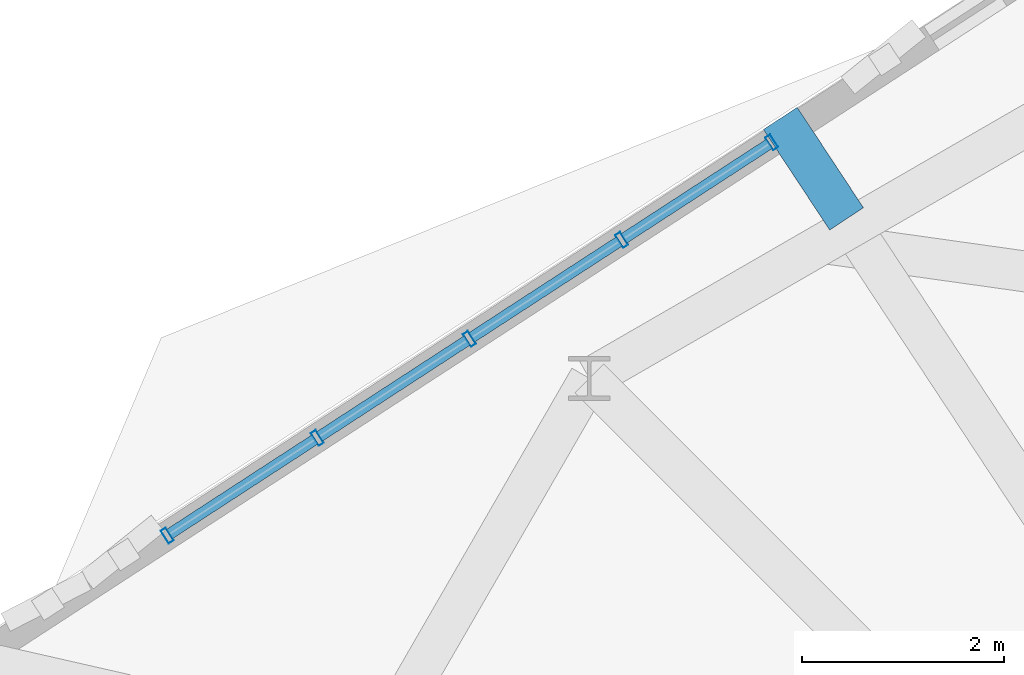
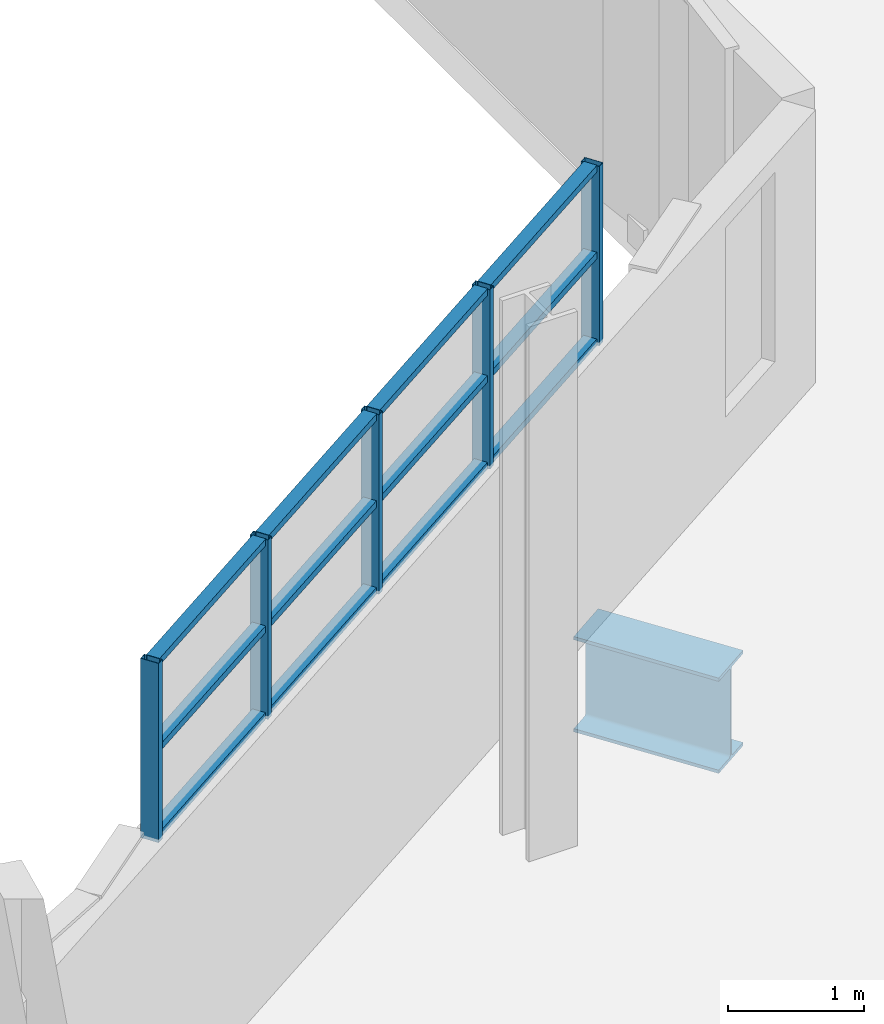
# One storey, part 24 of 118: 17 members, 1 beam, 1 element without a shape of its own.
"""IFC4 building model written with IfcOpenShell, lengths in metres."""

from ifc_helpers import new_model, si_unit, direction, frame, origin, origin_2d, place, context, subcontext, project, spatial, hollow_rectangle, i_section, extrude, material, layer, layer_set, material_profile, profile_set, type_object, element, aggregate, save


model = new_model("IFC4")

# Units and contexts
model_context = context("Model", 3, precision=1e-05, world=origin(), true_north=direction((0.0, 1.0)))
body_context = subcontext(model_context, "Body", "Model", "MODEL_VIEW")
ifc_project = project(units=[si_unit("LENGTHUNIT", "METRE"), si_unit("AREAUNIT", "SQUARE_METRE"), si_unit("VOLUMEUNIT", "CUBIC_METRE"), si_unit("PLANEANGLEUNIT", "RADIAN"), si_unit("MASSUNIT", "GRAM", prefix="KILO"), si_unit("THERMODYNAMICTEMPERATUREUNIT", "KELVIN"), si_unit("POWERUNIT", "WATT")], contexts=[model_context])

# Site, building, storey
site_placement = place(None, origin())
site = spatial("IfcSite", under=ifc_project, at=site_placement, CompositionType="ELEMENT")
building_placement = place(site_placement, origin())
building = spatial("IfcBuilding", under=site, at=building_placement, Name="Zelmaris Science Centre", CompositionType="ELEMENT")
storey_placement = place(building_placement, frame((0.0, 0.0, 15.60009765625)))
storey = spatial("IfcBuildingStorey", under=building, at=storey_placement, Name="L03", CompositionType="ELEMENT", Elevation=15.60009765625)

# Curtain wall, members
ifc_material_1 = material(Name="Anodised architectural aluminium 6063-T6", Category="aluminium")
ifc_layer = layer(ifc_material_1, 0.219970703125, Name="Anodised architectural aluminium 6063-T6")
ifc_layer_set = layer_set([ifc_layer], Name="Anodised architectural aluminium 6063-T6")
curtain_wall_type = type_object("IfcCurtainWallType", Name="Curtain Wall CW-04", PredefinedType="USERDEFINED", material=ifc_layer_set)
curtain_wall_placement = place(storey_placement, origin())
curtain_wall = element("IfcCurtainWall", 1, at=curtain_wall_placement, inside=storey, type_object=curtain_wall_type, Name="L03 Clerestory curtain wall 316", ObjectType="GLAZED CURTAIN WALL", PredefinedType="USERDEFINED")
ifc_material_profile_1 = material_profile(ifc_material_1, hollow_rectangle(XDim=0.06005859375, YDim=0.14990234375, WallThickness=0.00341796875, at=origin_2d()), Name="ALU-MUL-60X150")
ifc_profile_set_1 = profile_set([ifc_material_profile_1], Name="Anodised architectural aluminium 6063-T6")
member_type_1 = type_object("IfcMemberType", Name="ALU-MUL-60X150", PredefinedType="MULLION", material=ifc_profile_set_1)
member_1_placement = place(storey_placement, frame((66.279052734375, 44.977783203125, 2.419921875), z_axis=(0.0, 0.0, 1.0), x_axis=(0.838228274681, 0.545319502242, 0.0)))
member_1 = element("IfcMember", 2, at=member_1_placement, type_object=member_type_1, Name="CW-04 mullion 1", PredefinedType="MULLION", context=body_context, shape_type="SweptSolid", body=[
    extrude(hollow_rectangle(XDim=0.06005859375, YDim=0.14990234375, WallThickness=0.00341796875, at=origin_2d()), origin(), (0.0, 0.0, 1.0), 1.60986328125),
])
member_2_placement = place(storey_placement, frame((67.76611328125, 45.945068359375, 2.419921875), z_axis=(0.0, 0.0, 1.0), x_axis=(0.838228274681, 0.545319502242, 0.0)))
member_2 = element("IfcMember", 3, at=member_2_placement, type_object=member_type_1, Name="CW-04 mullion 2", PredefinedType="MULLION", context=body_context, shape_type="SweptSolid", body=[
    extrude(hollow_rectangle(XDim=0.06005859375, YDim=0.14990234375, WallThickness=0.00341796875, at=origin_2d()), origin(), (0.0, 0.0, 1.0), 1.60986328125),
])
member_3_placement = place(storey_placement, frame((69.27490234375, 46.9267578125, 2.419921875), z_axis=(0.0, 0.0, 1.0), x_axis=(0.838228274681, 0.545319502242, 0.0)))
member_3 = element("IfcMember", 4, at=member_3_placement, type_object=member_type_1, Name="CW-04 mullion 3", PredefinedType="MULLION", context=body_context, shape_type="SweptSolid", body=[
    extrude(hollow_rectangle(XDim=0.06005859375, YDim=0.14990234375, WallThickness=0.00341796875, at=origin_2d()), origin(), (0.0, 0.0, 1.0), 1.60986328125),
])
member_4_placement = place(storey_placement, frame((70.78369140625, 47.908203125, 2.419921875), z_axis=(0.0, 0.0, 1.0), x_axis=(0.838228274681, 0.545319502242, 0.0)))
member_4 = element("IfcMember", 5, at=member_4_placement, type_object=member_type_1, Name="CW-04 mullion 4", PredefinedType="MULLION", context=body_context, shape_type="SweptSolid", body=[
    extrude(hollow_rectangle(XDim=0.06005859375, YDim=0.14990234375, WallThickness=0.00341796875, at=origin_2d()), origin(), (0.0, 0.0, 1.0), 1.60986328125),
])
member_5_placement = place(storey_placement, frame((72.270751953125, 48.875732421875, 2.419921875), z_axis=(0.0, 0.0, 1.0), x_axis=(0.838228274681, 0.545319502242, 0.0)))
member_5 = element("IfcMember", 6, at=member_5_placement, type_object=member_type_1, Name="CW-04 mullion 5", PredefinedType="MULLION", context=body_context, shape_type="SweptSolid", body=[
    extrude(hollow_rectangle(XDim=0.06005859375, YDim=0.14990234375, WallThickness=0.00341796875, at=origin_2d()), origin(), (0.0, 0.0, 1.0), 1.60986328125),
])
ifc_material_profile_2 = material_profile(ifc_material_1, hollow_rectangle(XDim=0.06005859375, YDim=0.110107421875, WallThickness=0.0029296875, at=origin_2d()), Name="ALU-TRN-60X110")
ifc_profile_set_2 = profile_set([ifc_material_profile_2], Name="Anodised architectural aluminium 6063-T6")
member_type_2 = type_object("IfcMemberType", Name="ALU-TRN-60X110", PredefinedType="USERDEFINED", material=ifc_profile_set_2)
member_6_placement = place(storey_placement, frame((66.30078125, 44.991943359375, 2.44580078125), z_axis=(0.838278388584, 0.545242462793, 0.0), x_axis=(0.0, 0.0, 1.0)))
member_6 = element("IfcMember", 7, at=member_6_placement, type_object=member_type_2, Name="CW-04 transom 1.1", ObjectType="TRANSOM", PredefinedType="USERDEFINED", context=body_context, shape_type="SweptSolid", body=[
    extrude(hollow_rectangle(XDim=0.06005859375, YDim=0.110107421875, WallThickness=0.0029296875, at=origin_2d()), origin(), (0.0, 0.0, 1.0), 1.72216796875),
])
member_7_placement = place(storey_placement, frame((66.30078125, 44.991943359375, 3.224853515625), z_axis=(0.838278388584, 0.545242462793, 0.0), x_axis=(0.0, 0.0, 1.0)))
member_7 = element("IfcMember", 8, at=member_7_placement, type_object=member_type_2, Name="CW-04 transom 1.2", ObjectType="TRANSOM", PredefinedType="USERDEFINED", context=body_context, shape_type="SweptSolid", body=[
    extrude(hollow_rectangle(XDim=0.06005859375, YDim=0.110107421875, WallThickness=0.0029296875, at=origin_2d()), origin(), (0.0, 0.0, 1.0), 1.72216796875),
])
member_8_placement = place(storey_placement, frame((66.30078125, 44.991943359375, 4.00390625), z_axis=(0.838278388584, 0.545242462793, 0.0), x_axis=(0.0, 0.0, 1.0)))
member_8 = element("IfcMember", 9, at=member_8_placement, type_object=member_type_2, Name="CW-04 transom 1.3", ObjectType="TRANSOM", PredefinedType="USERDEFINED", context=body_context, shape_type="SweptSolid", body=[
    extrude(hollow_rectangle(XDim=0.06005859375, YDim=0.110107421875, WallThickness=0.0029296875, at=origin_2d()), origin(), (0.0, 0.0, 1.0), 1.72216796875),
])
member_9_placement = place(storey_placement, frame((67.787841796875, 45.959228515625, 2.44580078125), z_axis=(0.838207425473, 0.545351548895, 0.0), x_axis=(0.0, 0.0, 1.0)))
member_9 = element("IfcMember", 10, at=member_9_placement, type_object=member_type_2, Name="CW-04 transom 2.1", ObjectType="TRANSOM", PredefinedType="USERDEFINED", context=body_context, shape_type="SweptSolid", body=[
    extrude(hollow_rectangle(XDim=0.06005859375, YDim=0.110107421875, WallThickness=0.0029296875, at=origin_2d()), origin(), (0.0, 0.0, 1.0), 1.748291015625),
])
member_10_placement = place(storey_placement, frame((67.787841796875, 45.959228515625, 3.224853515625), z_axis=(0.838207425473, 0.545351548895, 0.0), x_axis=(0.0, 0.0, 1.0)))
member_10 = element("IfcMember", 11, at=member_10_placement, type_object=member_type_2, Name="CW-04 transom 2.2", ObjectType="TRANSOM", PredefinedType="USERDEFINED", context=body_context, shape_type="SweptSolid", body=[
    extrude(hollow_rectangle(XDim=0.06005859375, YDim=0.110107421875, WallThickness=0.0029296875, at=origin_2d()), origin(), (0.0, 0.0, 1.0), 1.748291015625),
])
member_11_placement = place(storey_placement, frame((67.787841796875, 45.959228515625, 4.00390625), z_axis=(0.838207425473, 0.545351548895, 0.0), x_axis=(0.0, 0.0, 1.0)))
member_11 = element("IfcMember", 12, at=member_11_placement, type_object=member_type_2, Name="CW-04 transom 2.3", ObjectType="TRANSOM", PredefinedType="USERDEFINED", context=body_context, shape_type="SweptSolid", body=[
    extrude(hollow_rectangle(XDim=0.06005859375, YDim=0.110107421875, WallThickness=0.0029296875, at=origin_2d()), origin(), (0.0, 0.0, 1.0), 1.748291015625),
])
member_12_placement = place(storey_placement, frame((69.296630859375, 46.94091796875, 2.44580078125), z_axis=(0.838271263222, 0.545253417464, 0.0), x_axis=(0.0, 0.0, 1.0)))
member_12 = element("IfcMember", 13, at=member_12_placement, type_object=member_type_2, Name="CW-04 transom 3.1", ObjectType="TRANSOM", PredefinedType="USERDEFINED", context=body_context, shape_type="SweptSolid", body=[
    extrude(hollow_rectangle(XDim=0.06005859375, YDim=0.110107421875, WallThickness=0.0029296875, at=origin_2d()), origin(), (0.0, 0.0, 1.0), 1.748046875),
])
member_13_placement = place(storey_placement, frame((69.296630859375, 46.94091796875, 3.224853515625), z_axis=(0.838271263222, 0.545253417464, 0.0), x_axis=(0.0, 0.0, 1.0)))
member_13 = element("IfcMember", 14, at=member_13_placement, type_object=member_type_2, Name="CW-04 transom 3.2", ObjectType="TRANSOM", PredefinedType="USERDEFINED", context=body_context, shape_type="SweptSolid", body=[
    extrude(hollow_rectangle(XDim=0.06005859375, YDim=0.110107421875, WallThickness=0.0029296875, at=origin_2d()), origin(), (0.0, 0.0, 1.0), 1.748046875),
])
member_14_placement = place(storey_placement, frame((69.296630859375, 46.94091796875, 4.00390625), z_axis=(0.838271263222, 0.545253417464, 0.0), x_axis=(0.0, 0.0, 1.0)))
member_14 = element("IfcMember", 15, at=member_14_placement, type_object=member_type_2, Name="CW-04 transom 3.3", ObjectType="TRANSOM", PredefinedType="USERDEFINED", context=body_context, shape_type="SweptSolid", body=[
    extrude(hollow_rectangle(XDim=0.06005859375, YDim=0.110107421875, WallThickness=0.0029296875, at=origin_2d()), origin(), (0.0, 0.0, 1.0), 1.748046875),
])
member_15_placement = place(storey_placement, frame((70.805419921875, 47.92236328125, 2.44580078125), z_axis=(0.838213590162, 0.545342073627, 0.0), x_axis=(0.0, 0.0, 1.0)))
member_15 = element("IfcMember", 16, at=member_15_placement, type_object=member_type_2, Name="CW-04 transom 4.1", ObjectType="TRANSOM", PredefinedType="USERDEFINED", context=body_context, shape_type="SweptSolid", body=[
    extrude(hollow_rectangle(XDim=0.06005859375, YDim=0.110107421875, WallThickness=0.0029296875, at=origin_2d()), origin(), (0.0, 0.0, 1.0), 1.72216796875),
])
member_16_placement = place(storey_placement, frame((70.805419921875, 47.92236328125, 3.224853515625), z_axis=(0.838213590162, 0.545342073627, 0.0), x_axis=(0.0, 0.0, 1.0)))
member_16 = element("IfcMember", 17, at=member_16_placement, type_object=member_type_2, Name="CW-04 transom 4.2", ObjectType="TRANSOM", PredefinedType="USERDEFINED", context=body_context, shape_type="SweptSolid", body=[
    extrude(hollow_rectangle(XDim=0.06005859375, YDim=0.110107421875, WallThickness=0.0029296875, at=origin_2d()), origin(), (0.0, 0.0, 1.0), 1.72216796875),
])
member_17_placement = place(storey_placement, frame((70.805419921875, 47.92236328125, 4.00390625), z_axis=(0.838213590162, 0.545342073627, 0.0), x_axis=(0.0, 0.0, 1.0)))
member_17 = element("IfcMember", 18, at=member_17_placement, type_object=member_type_2, Name="CW-04 transom 4.3", ObjectType="TRANSOM", PredefinedType="USERDEFINED", context=body_context, shape_type="SweptSolid", body=[
    extrude(hollow_rectangle(XDim=0.06005859375, YDim=0.110107421875, WallThickness=0.0029296875, at=origin_2d()), origin(), (0.0, 0.0, 1.0), 1.72216796875),
])
aggregate(curtain_wall, [member_1, member_2, member_3, member_4, member_5, member_6, member_7, member_8, member_9, member_10, member_11, member_12, member_13, member_14, member_15, member_16, member_17])

# Beam
ifc_material_2 = material(Name="Steel ASTM A992 Grade 50", Category="steel")
ifc_material_profile_3 = material_profile(ifc_material_2, i_section(OverallWidth=0.40087890625, OverallDepth=0.85595703125, WebThickness=0.018310546875, FlangeThickness=0.029296875, FilletRadius=0.02001953125, at=origin_2d()), Name="W33X201")
ifc_profile_set_3 = profile_set([ifc_material_profile_3], Name="Steel ASTM A992 Grade 50")
beam_type = type_object("IfcBeamType", Name="Beam G-05 W33X201", PredefinedType="BEAM", material=ifc_profile_set_3)
beam_placement = place(storey_placement, frame((73.0126953125, 48.116943359375, -0.7080078125), z_axis=(-0.550394436981, 0.834904763275, 0.0), x_axis=(-0.834904763275, -0.550394436981, 0.0)))
element("IfcBeam", 19, at=beam_placement, inside=storey, type_object=beam_type, Name="L03 Radial overhang girder 8", PredefinedType="BEAM", context=body_context, shape_type="SweptSolid", body=[
    extrude(i_section(OverallWidth=0.40087890625, OverallDepth=0.85595703125, WebThickness=0.018310546875, FlangeThickness=0.029296875, FilletRadius=0.02001953125, at=origin_2d()), origin(), (0.0, 0.0, 1.0), 1.19287109375),
])

save(model, "model.ifc")
